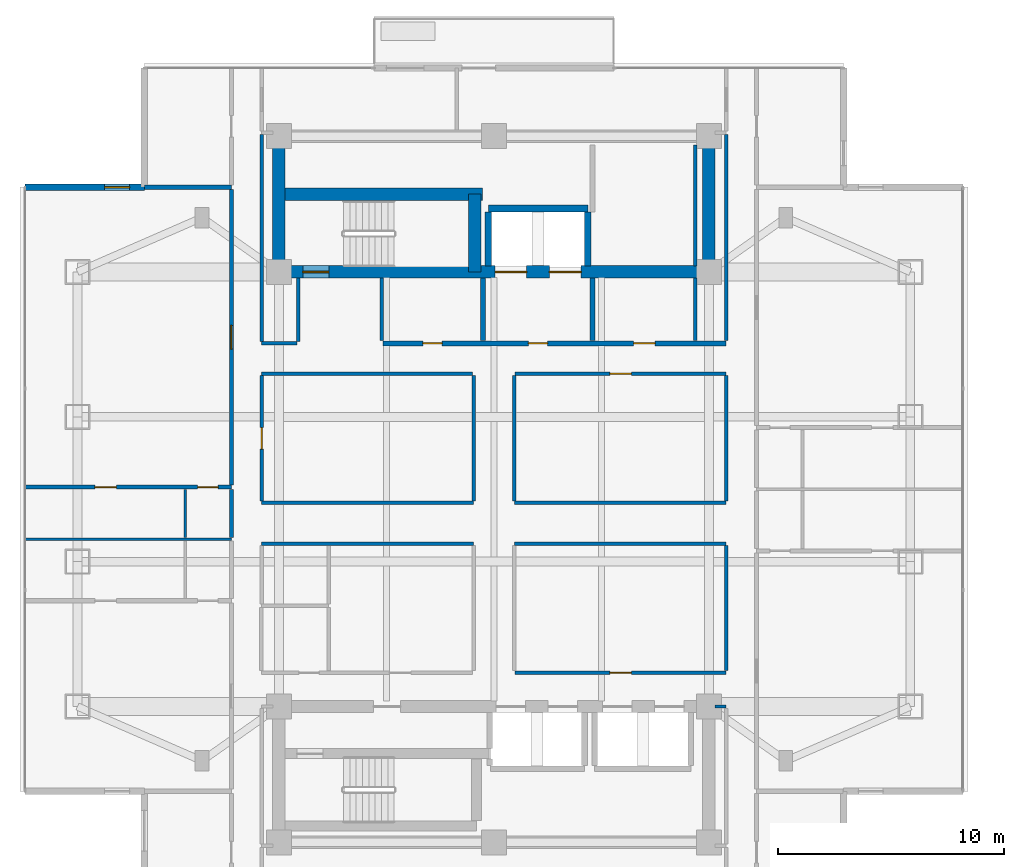
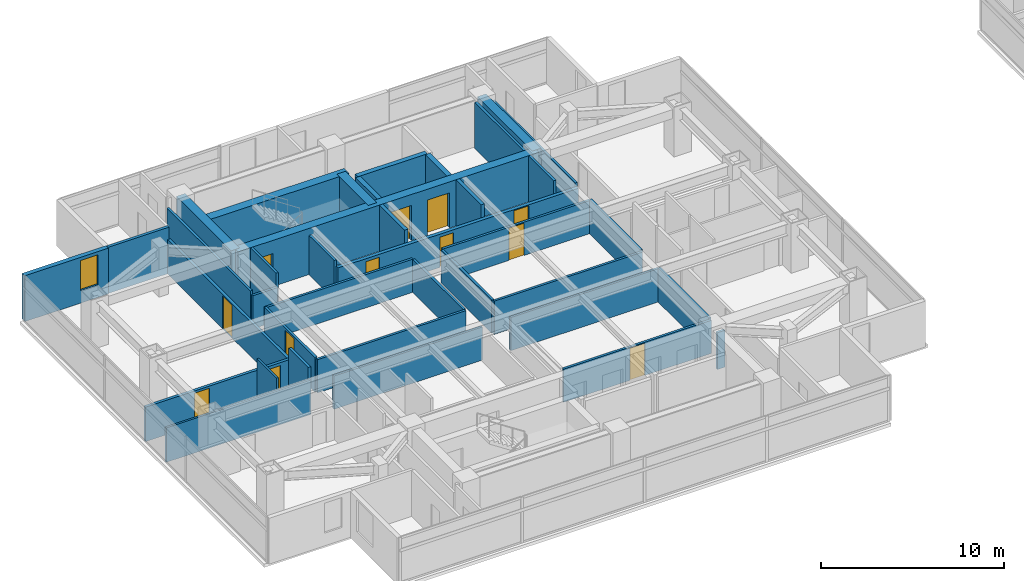
# One storey, part 15 of 26: 38 walls, 12 doors, 1 window, 13 openings.
"""IFC4 building model written with IfcOpenShell, lengths in metres."""

from ifc_helpers import new_model, si_unit, direction, frame, frame_2d, origin, place, context, subcontext, project, spatial, rectangle, extrude, material, layer, layer_set, type_object, element, fill, save


model = new_model("IFC4")

# Units and contexts
model_context = context("Model", 3, precision=1e-05, world=origin(), true_north=direction((0.0, 1.0)))
body_context = subcontext(model_context, "Body", "Model", "MODEL_VIEW")
ifc_project = project(units=[si_unit("LENGTHUNIT", "METRE"), si_unit("AREAUNIT", "SQUARE_METRE"), si_unit("VOLUMEUNIT", "CUBIC_METRE"), si_unit("PLANEANGLEUNIT", "RADIAN"), si_unit("MASSUNIT", "GRAM", prefix="KILO")], contexts=[model_context])

# Site, building, storey
site_placement = place(None, origin())
site = spatial("IfcSite", under=ifc_project, at=site_placement, CompositionType="ELEMENT")
building_placement = place(site_placement, origin())
building = spatial("IfcBuilding", under=site, at=building_placement, Name="Mirazonda Arch Towers", CompositionType="ELEMENT")
storey_placement = place(building_placement, frame((0.0, 0.0, 128.0)))
storey = spatial("IfcBuildingStorey", under=building, at=storey_placement, Name="L36", CompositionType="ELEMENT", Elevation=128.0)

# Walls
ifc_material_1 = material(Name="Concrete C50/60", Category="concrete")
ifc_layer_1 = layer(ifc_material_1, 0.550048828125, Name="WALL-CORE-550")
ifc_layer_set_1 = layer_set([ifc_layer_1], Name="Concrete C50/60")
wall_type_1 = type_object("IfcWallType", Name="WALL-CORE-550", PredefinedType="SHEAR", material=ifc_layer_set_1)
for number, where, z_axis, x_axis, name in (
    (1, (11.0, 37.60009765625, 0.0), (0.0, 0.0, 1.0), (0.0, 1.0, 0.0), "L36 T1N-W Core Shear Wall"),
    (2, (30.0, 37.60009765625, 0.0), (0.0, 0.0, 1.0), (0.0, 1.0, 0.0), "L36 T1N-E Core Shear Wall"),
):
    element("IfcWall", number, at=place(storey_placement, frame(where, z_axis=z_axis, x_axis=x_axis)), inside=storey, type_object=wall_type_1, Name=name, PredefinedType="SHEAR", context=body_context, shape_type="SweptSolid", body=[
        extrude(rectangle(XDim=6.0, YDim=0.550048828125, at=frame_2d((3.0, 0.0))), origin(), (0.0, 0.0, 1.0), 3.080078125),
    ])

# Wall, openings, doors
wall_1_placement = place(storey_placement, frame((11.0, 37.60009765625, 0.0), z_axis=(0.0, 0.0, 1.0), x_axis=(1.0, 0.0, 0.0)))
wall_1 = element("IfcWall", 3, at=wall_1_placement, inside=storey, type_object=wall_type_1, Name="L36 T1N-S Core Shear Wall", PredefinedType="SHEAR", context=body_context, shape_type="SweptSolid", body=[
    extrude(rectangle(XDim=19.0, YDim=0.550048828125, at=frame_2d((9.5, 0.0))), origin(), (0.0, 0.0, 1.0), 3.080078125),
])
opening_1_placement = place(wall_1_placement, frame((1.06005859375, 0.0, 0.0)))
opening_1 = element("IfcOpeningElement", 4, at=opening_1_placement, cuts=wall_1, Name="Opening DR-135", PredefinedType="OPENING", context=body_context, shape_type="SweptSolid", body=[
    extrude(rectangle(XDim=1.14990234375, YDim=2.199951171875, at=frame_2d((0.574951171875, 1.10009765625))), frame((0.0, 0.284912109375, 0.0), z_axis=(0.0, -1.0, 0.0), x_axis=(1.0, 0.0, 0.0)), (0.0, 0.0, 1.0), 0.570068359375),
])
opening_2_placement = place(wall_1_placement, frame((9.550048828125, 0.0, 0.0)))
opening_2 = element("IfcOpeningElement", 5, at=opening_2_placement, cuts=wall_1, Name="Opening LD-112", PredefinedType="OPENING", context=body_context, shape_type="SweptSolid", body=[
    extrude(rectangle(XDim=1.39990234375, YDim=2.35009765625, at=frame_2d((0.699951171875, 1.175048828125))), frame((0.0, 0.284912109375, 0.0), z_axis=(0.0, -1.0, 0.0), x_axis=(1.0, 0.0, 0.0)), (0.0, 0.0, 1.0), 0.570068359375),
])
opening_3_placement = place(wall_1_placement, frame((11.949951171875, 0.0, 0.0)))
opening_3 = element("IfcOpeningElement", 6, at=opening_3_placement, cuts=wall_1, Name="Opening LD-112", PredefinedType="OPENING", context=body_context, shape_type="SweptSolid", body=[
    extrude(rectangle(XDim=1.39990234375, YDim=2.35009765625, at=frame_2d((0.699951171875, 1.175048828125))), frame((0.0, 0.284912109375, 0.0), z_axis=(0.0, -1.0, 0.0), x_axis=(1.0, 0.0, 0.0)), (0.0, 0.0, 1.0), 0.570068359375),
])
ifc_material_2 = material(Name="Architectural Brushed Steel S355", Category="steel")
door_type_1 = type_object("IfcDoorType", Name="DOOR-LIFT-FFL-1400", OperationType="NOTDEFINED", PredefinedType="DOOR", material=ifc_material_2)
door_1_placement = place(opening_2_placement, origin())
door_1 = element("IfcDoor", 7, at=door_1_placement, inside=storey, type_object=door_type_1, Name="L36 Lift Landing Sliding Door FFL-T1", OperationType="DOUBLE_DOOR_SLIDING", OverallHeight=2.35009765625, OverallWidth=1.39990234375, PredefinedType="DOOR", context=body_context, shape_type="SweptSolid", body=[
    extrude(rectangle(XDim=1.39990234375, YDim=2.35009765625, at=frame_2d((0.699951171875, 1.175048828125))), frame((0.0, 0.02490234375, 0.0), z_axis=(0.0, -1.0, 0.0), x_axis=(1.0, 0.0, 0.0)), (0.0, 0.0, 1.0), 0.050048828125),
])
fill(opening_2, door_1)
door_2_placement = place(opening_3_placement, origin())
door_2 = element("IfcDoor", 8, at=door_2_placement, inside=storey, type_object=door_type_1, Name="L36 Lift Landing Sliding Door SVL-T1", OperationType="DOUBLE_DOOR_SLIDING", OverallHeight=2.35009765625, OverallWidth=1.39990234375, PredefinedType="DOOR", context=body_context, shape_type="SweptSolid", body=[
    extrude(rectangle(XDim=1.39990234375, YDim=2.35009765625, at=frame_2d((0.699951171875, 1.175048828125))), frame((0.0, 0.02490234375, 0.0), z_axis=(0.0, -1.0, 0.0), x_axis=(1.0, 0.0, 0.0)), (0.0, 0.0, 1.0), 0.050048828125),
])
fill(opening_3, door_2)
door_type_2 = type_object("IfcDoorType", Name="DOOR-STAIR-FD90-1150", OperationType="NOTDEFINED", PredefinedType="DOOR", material=ifc_material_2)
door_3_placement = place(opening_1_placement, origin())
door_3 = element("IfcDoor", 9, at=door_3_placement, inside=storey, type_object=door_type_2, Name="L36 Protected Exit Stair North Door", OperationType="SINGLE_SWING_LEFT", OverallHeight=2.199951171875, OverallWidth=1.14990234375, PredefinedType="DOOR", context=body_context, shape_type="SweptSolid", body=[
    extrude(rectangle(XDim=1.14990234375, YDim=2.199951171875, at=frame_2d((0.574951171875, 1.10009765625))), frame((0.0, 0.02490234375, 0.0), z_axis=(0.0, -1.0, 0.0), x_axis=(1.0, 0.0, 0.0)), (0.0, 0.0, 1.0), 0.050048828125),
])
fill(opening_1, door_3)

# Walls
wall_2_placement = place(storey_placement, frame((11.0, 41.04296875, 0.0), z_axis=(0.0, 0.0, 1.0), x_axis=(1.0, 0.0, 0.0)))
element("IfcWall", 10, at=wall_2_placement, inside=storey, type_object=wall_type_1, Name="L36 T1N-STN Core Shear Wall", PredefinedType="SHEAR", context=body_context, shape_type="SweptSolid", body=[
    extrude(rectangle(XDim=9.0, YDim=0.550048828125, at=frame_2d((4.5, 0.0))), origin(), (0.0, 0.0, 1.0), 3.080078125),
])
wall_3_placement = place(storey_placement, frame((19.64990234375, 37.60009765625, 0.0), z_axis=(0.0, 0.0, 1.0), x_axis=(0.0, 1.0, 0.0)))
element("IfcWall", 11, at=wall_3_placement, inside=storey, type_object=wall_type_1, Name="L36 T1N-STE Core Shear Wall", PredefinedType="SHEAR", context=body_context, shape_type="SweptSolid", body=[
    extrude(rectangle(XDim=3.44287109375, YDim=0.550048828125, at=frame_2d((1.721435546875, 0.0))), origin(), (0.0, 0.0, 1.0), 3.080078125),
])

# Wall, opening, window
ifc_material_3 = material(Name="Precast Concrete C40/50", Category="concrete")
ifc_layer_2 = layer(ifc_material_3, 0.280029296875, Name="WALL-EXT-WALL-280")
ifc_layer_set_2 = layer_set([ifc_layer_2], Name="Precast Concrete C40/50")
wall_type_2 = type_object("IfcWallType", Name="WALL-EXT-WALL-280", PredefinedType="SOLIDWALL", material=ifc_layer_set_2)
wall_4_placement = place(storey_placement, frame((5.050048828125, 41.343994140625, 0.0), z_axis=(0.0, 0.0, 1.0), x_axis=(-1.0, 0.0, 0.0)))
wall_4 = element("IfcWall", 12, at=wall_4_placement, inside=storey, type_object=wall_type_2, Name="L36 T1 Corner Notch Return Wall WL-L36-T1-CNW1", PredefinedType="SOLIDWALL", context=body_context, shape_type="SweptSolid", body=[
    extrude(rectangle(XDim=5.27001953125, YDim=0.280029296875, at=frame_2d((2.635009765625, 0.0))), origin(), (0.0, 0.0, 1.0), 3.06005859375),
])
opening_4_placement = place(wall_4_placement, frame((0.64990234375, 0.0, 0.85009765625)))
opening_4 = element("IfcOpeningElement", 13, at=opening_4_placement, cuts=wall_4, Name="Opening WN-108", PredefinedType="OPENING", context=body_context, shape_type="SweptSolid", body=[
    extrude(rectangle(XDim=1.10009765625, YDim=2.0, at=frame_2d((0.550048828125, 1.0))), frame((0.0, 0.14990234375, 0.0), z_axis=(0.0, -1.0, 0.0), x_axis=(1.0, 0.0, 0.0)), (0.0, 0.0, 1.0), 0.300048828125),
])
ifc_material_4 = material(Name="Insulated Low-E Solar Glass", Category="glass")
window_type = type_object("IfcWindowType", Name="WIN-NOTCH-1100x2000", PartitioningType="SINGLE_PANEL", PredefinedType="WINDOW", material=ifc_material_4)
window_placement = place(opening_4_placement, origin())
window = element("IfcWindow", 14, at=window_placement, inside=storey, type_object=window_type, Name="L36 Punched Facade Window WN-L36-T1-CNW1", OverallHeight=2.0, OverallWidth=1.10009765625, PartitioningType="SINGLE_PANEL", PredefinedType="WINDOW", context=body_context, shape_type="SweptSolid", body=[
    extrude(rectangle(XDim=1.10009765625, YDim=2.0, at=frame_2d((0.550048828125, 1.0))), frame((0.0, 0.030029296875, 0.0), z_axis=(0.0, -1.0, 0.0), x_axis=(1.0, 0.0, 0.0)), (0.0, 0.0, 1.0), 0.06005859375),
])
fill(opening_4, window)

# Wall, openings, doors
ifc_material_5 = material(Name="Concrete C40/50", Category="concrete")
ifc_layer_3 = layer(ifc_material_5, 0.219970703125, Name="WALL-FFL-220")
ifc_layer_set_3 = layer_set([ifc_layer_3], Name="Concrete C40/50")
wall_type_3 = type_object("IfcWallType", Name="WALL-FFL-220", PredefinedType="SOLIDWALL", material=ifc_layer_set_3)
wall_5_placement = place(storey_placement, frame((15.590087890625, 34.449951171875, 0.0), z_axis=(0.0, 0.0, 1.0), x_axis=(1.0, 0.0, 0.0)))
wall_5 = element("IfcWall", 15, at=wall_5_placement, inside=storey, type_object=wall_type_3, Name="L36 Interior Partition 046", PredefinedType="SOLIDWALL", context=body_context, shape_type="SweptSolid", body=[
    extrude(rectangle(XDim=15.169921875, YDim=0.219970703125, at=frame_2d((7.5849609375, 0.0))), origin(), (0.0, 0.0, 1.0), 2.216064453125),
])
opening_5_placement = place(wall_5_placement, frame((6.43505859375, 0.0, 0.0)))
opening_5 = element("IfcOpeningElement", 16, at=opening_5_placement, cuts=wall_5, Name="Opening DR-128", PredefinedType="OPENING", context=body_context, shape_type="SweptSolid", body=[
    extrude(rectangle(XDim=0.85009765625, YDim=2.010009765625, at=frame_2d((0.425048828125, 1.0048828125))), frame((0.0, 0.119873046875, 0.0), z_axis=(0.0, -1.0, 0.0), x_axis=(1.0, 0.0, 0.0)), (0.0, 0.0, 1.0), 0.239990234375),
])
opening_6_placement = place(wall_5_placement, frame((11.0849609375, 0.0, 0.0)))
opening_6 = element("IfcOpeningElement", 17, at=opening_6_placement, cuts=wall_5, Name="Opening DR-104", PredefinedType="OPENING", context=body_context, shape_type="SweptSolid", body=[
    extrude(rectangle(XDim=0.949951171875, YDim=2.14990234375, at=frame_2d((0.47509765625, 1.074951171875))), frame((0.0, 0.119873046875, 0.0), z_axis=(0.0, -1.0, 0.0), x_axis=(1.0, 0.0, 0.0)), (0.0, 0.0, 1.0), 0.239990234375),
])
opening_7_placement = place(wall_5_placement, frame((1.77490234375, 0.0, 0.0)))
opening_7 = element("IfcOpeningElement", 18, at=opening_7_placement, cuts=wall_5, Name="Opening DR-128", PredefinedType="OPENING", context=body_context, shape_type="SweptSolid", body=[
    extrude(rectangle(XDim=0.85009765625, YDim=2.010009765625, at=frame_2d((0.425048828125, 1.0048828125))), frame((0.0, 0.119873046875, 0.0), z_axis=(0.0, -1.0, 0.0), x_axis=(1.0, 0.0, 0.0)), (0.0, 0.0, 1.0), 0.239990234375),
])
door_type_3 = type_object("IfcDoorType", Name="DOOR-RISER-FD60-850", OperationType="NOTDEFINED", PredefinedType="DOOR", material=ifc_material_2)
door_4_placement = place(opening_5_placement, origin())
door_4 = element("IfcDoor", 19, at=door_4_placement, inside=storey, type_object=door_type_3, Name="L36 Firefighting Lift Lobby Door", OperationType="SINGLE_SWING_RIGHT", OverallHeight=2.010009765625, OverallWidth=0.85009765625, PredefinedType="DOOR", context=body_context, shape_type="SweptSolid", body=[
    extrude(rectangle(XDim=0.85009765625, YDim=2.010009765625, at=frame_2d((0.425048828125, 1.0048828125))), frame((0.0, 0.02490234375, 0.0), z_axis=(0.0, -1.0, 0.0), x_axis=(1.0, 0.0, 0.0)), (0.0, 0.0, 1.0), 0.050048828125),
])
fill(opening_5, door_4)
door_5_placement = place(opening_7_placement, origin())
door_5 = element("IfcDoor", 20, at=door_5_placement, inside=storey, type_object=door_type_3, Name="L36 Housekeeping Linen Room Door", OperationType="SINGLE_SWING_RIGHT", OverallHeight=2.010009765625, OverallWidth=0.85009765625, PredefinedType="DOOR", context=body_context, shape_type="SweptSolid", body=[
    extrude(rectangle(XDim=0.85009765625, YDim=2.010009765625, at=frame_2d((0.425048828125, 1.0048828125))), frame((0.0, 0.02490234375, 0.0), z_axis=(0.0, -1.0, 0.0), x_axis=(1.0, 0.0, 0.0)), (0.0, 0.0, 1.0), 0.050048828125),
])
fill(opening_7, door_5)
door_type_4 = type_object("IfcDoorType", Name="DOOR-ROOM-950", OperationType="NOTDEFINED", PredefinedType="DOOR", material=ifc_material_2)
door_6_placement = place(opening_6_placement, origin())
door_6 = element("IfcDoor", 21, at=door_6_placement, inside=storey, type_object=door_type_4, Name="L36 Executive Reading Library Door", OperationType="SINGLE_SWING_LEFT", OverallHeight=2.14990234375, OverallWidth=0.949951171875, PredefinedType="DOOR", context=body_context, shape_type="SweptSolid", body=[
    extrude(rectangle(XDim=0.949951171875, YDim=2.14990234375, at=frame_2d((0.47509765625, 1.074951171875))), frame((0.0, 0.02490234375, 0.0), z_axis=(0.0, -1.0, 0.0), x_axis=(1.0, 0.0, 0.0)), (0.0, 0.0, 1.0), 0.050048828125),
])
fill(opening_6, door_6)

# Walls
for number, where, z_axis, x_axis, name in (
    (22, (20.02490234375, 34.570068359375, 0.0), (0.0, 0.0, 1.0), (0.0, 1.0, 0.0), "L36 Interior Partition 082"),
    (23, (24.85009765625, 34.570068359375, 0.0), (0.0, 0.0, 1.0), (0.0, 1.0, 0.0), "L36 Interior Partition 091"),
):
    element("IfcWall", number, at=place(storey_placement, frame(where, z_axis=z_axis, x_axis=x_axis)), inside=storey, type_object=wall_type_3, Name=name, PredefinedType="SOLIDWALL", context=body_context, shape_type="SweptSolid", body=[
        extrude(rectangle(XDim=2.760009765625, YDim=0.219970703125, at=frame_2d((1.3798828125, 0.0))), origin(), (0.0, 0.0, 1.0), 3.080078125),
    ])
ifc_material_6 = material(Name="Fire-Rated Gypsum Stud Partition")
ifc_layer_4 = layer(ifc_material_6, 0.14990234375, Name="WALL-PART-CORR-150")
ifc_layer_set_4 = layer_set([ifc_layer_4], Name="Fire-Rated Gypsum Stud Partition")
wall_type_4 = type_object("IfcWallType", Name="WALL-PART-CORR-150", PredefinedType="PARTITIONING", material=ifc_layer_set_4)
wall_6_placement = place(storey_placement, frame((30.27001953125, 18.39990234375, 0.0), z_axis=(0.0, 0.0, 1.0), x_axis=(1.0, 0.0, 0.0)))
element("IfcWall", 24, at=wall_6_placement, inside=storey, type_object=wall_type_4, Name="L36 Interior Partition 013", PredefinedType="PARTITIONING", context=body_context, shape_type="SweptSolid", body=[
    extrude(rectangle(XDim=0.489990234375, YDim=0.14990234375, at=frame_2d((0.2451171875, 0.0))), origin(), (0.0, 0.0, 1.0), 2.4560546875),
])

# Wall, opening, door
wall_7_placement = place(storey_placement, frame((21.43994140625, 19.89990234375, 0.0), z_axis=(0.0, 0.0, 1.0), x_axis=(1.0, 0.0, 0.0)))
wall_7 = element("IfcWall", 25, at=wall_7_placement, inside=storey, type_object=wall_type_4, Name="L36 Interior Partition 016", PredefinedType="PARTITIONING", context=body_context, shape_type="SweptSolid", body=[
    extrude(rectangle(XDim=9.320068359375, YDim=0.14990234375, at=frame_2d((4.66015625, 0.0))), origin(), (0.0, 0.0, 1.0), 2.216064453125),
])
opening_8_placement = place(wall_7_placement, frame((4.18505859375, 0.0, 0.0)))
opening_8 = element("IfcOpeningElement", 26, at=opening_8_placement, cuts=wall_7, Name="Opening DR-104", PredefinedType="OPENING", context=body_context, shape_type="SweptSolid", body=[
    extrude(rectangle(XDim=0.949951171875, YDim=2.14990234375, at=frame_2d((0.47509765625, 1.074951171875))), frame((0.0, 0.0849609375, 0.0), z_axis=(0.0, -1.0, 0.0), x_axis=(1.0, 0.0, 0.0)), (0.0, 0.0, 1.0), 0.169921875),
])
door_7_placement = place(opening_8_placement, origin())
door_7 = element("IfcDoor", 27, at=door_7_placement, inside=storey, type_object=door_type_4, Name="L36 L36 South-East Cruciform Lounge Door", OperationType="SINGLE_SWING_RIGHT", OverallHeight=2.14990234375, OverallWidth=0.949951171875, PredefinedType="DOOR", context=body_context, shape_type="SweptSolid", body=[
    extrude(rectangle(XDim=0.949951171875, YDim=2.14990234375, at=frame_2d((0.47509765625, 1.074951171875))), frame((0.0, 0.02490234375, 0.0), z_axis=(0.0, -1.0, 0.0), x_axis=(1.0, 0.0, 0.0)), (0.0, 0.0, 1.0), 0.050048828125),
])
fill(opening_8, door_7)

# Walls
for number, where, z_axis, x_axis, name in (
    (28, (10.239990234375, 25.60009765625, 0.0), (0.0, 0.0, 1.0), (1.0, 0.0, 0.0), "L36 Interior Partition 027"),
    (29, (21.39990234375, 25.60009765625, 0.0), (0.0, 0.0, 1.0), (1.0, 0.0, 0.0), "L36 Interior Partition 028"),
    (30, (10.239990234375, 27.39990234375, 0.0), (0.0, 0.0, 1.0), (1.0, 0.0, 0.0), "L36 Interior Partition 032"),
    (31, (21.39990234375, 27.39990234375, 0.0), (0.0, 0.0, 1.0), (1.0, 0.0, 0.0), "L36 Interior Partition 033"),
):
    element("IfcWall", number, at=place(storey_placement, frame(where, z_axis=z_axis, x_axis=x_axis)), inside=storey, type_object=wall_type_4, Name=name, PredefinedType="PARTITIONING", context=body_context, shape_type="SweptSolid", body=[
        extrude(rectangle(XDim=9.360107421875, YDim=0.14990234375, at=frame_2d((4.68017578125, 0.0))), origin(), (0.0, 0.0, 1.0), 2.216064453125),
    ])
wall_8_placement = place(storey_placement, frame((10.239990234375, 33.10009765625, 0.0), z_axis=(0.0, 0.0, 1.0), x_axis=(1.0, 0.0, 0.0)))
element("IfcWall", 32, at=wall_8_placement, inside=storey, type_object=wall_type_4, Name="L36 Interior Partition 043", PredefinedType="PARTITIONING", context=body_context, shape_type="SweptSolid", body=[
    extrude(rectangle(XDim=9.320068359375, YDim=0.14990234375, at=frame_2d((4.66015625, 0.0))), origin(), (0.0, 0.0, 1.0), 2.216064453125),
])

# Wall, opening, door
wall_9_placement = place(storey_placement, frame((21.43994140625, 33.10009765625, 0.0), z_axis=(0.0, 0.0, 1.0), x_axis=(1.0, 0.0, 0.0)))
wall_9 = element("IfcWall", 33, at=wall_9_placement, inside=storey, type_object=wall_type_4, Name="L36 Interior Partition 044", PredefinedType="PARTITIONING", context=body_context, shape_type="SweptSolid", body=[
    extrude(rectangle(XDim=9.320068359375, YDim=0.14990234375, at=frame_2d((4.66015625, 0.0))), origin(), (0.0, 0.0, 1.0), 2.216064453125),
])
opening_9_placement = place(wall_9_placement, frame((4.18505859375, 0.0, 0.0)))
opening_9 = element("IfcOpeningElement", 34, at=opening_9_placement, cuts=wall_9, Name="Opening DR-104", PredefinedType="OPENING", context=body_context, shape_type="SweptSolid", body=[
    extrude(rectangle(XDim=0.949951171875, YDim=2.14990234375, at=frame_2d((0.47509765625, 1.074951171875))), frame((0.0, 0.0849609375, 0.0), z_axis=(0.0, -1.0, 0.0), x_axis=(1.0, 0.0, 0.0)), (0.0, 0.0, 1.0), 0.169921875),
])
door_8_placement = place(opening_9_placement, origin())
door_8 = element("IfcDoor", 35, at=door_8_placement, inside=storey, type_object=door_type_4, Name="L36 L36 North-East Cruciform Study Door", OperationType="SINGLE_SWING_LEFT", OverallHeight=2.14990234375, OverallWidth=0.949951171875, PredefinedType="DOOR", context=body_context, shape_type="SweptSolid", body=[
    extrude(rectangle(XDim=0.949951171875, YDim=2.14990234375, at=frame_2d((0.47509765625, 1.074951171875))), frame((0.0, 0.02490234375, 0.0), z_axis=(0.0, -1.0, 0.0), x_axis=(1.0, 0.0, 0.0)), (0.0, 0.0, 1.0), 0.050048828125),
])
fill(opening_9, door_8)

# Wall
wall_10_placement = place(storey_placement, frame((10.239990234375, 34.449951171875, 0.0), z_axis=(0.0, 0.0, 1.0), x_axis=(1.0, 0.0, 0.0)))
element("IfcWall", 36, at=wall_10_placement, inside=storey, type_object=wall_type_4, Name="L36 Interior Partition 045", PredefinedType="PARTITIONING", context=body_context, shape_type="SweptSolid", body=[
    extrude(rectangle(XDim=1.56005859375, YDim=0.14990234375, at=frame_2d((0.780029296875, 0.0))), origin(), (0.0, 0.0, 1.0), 2.216064453125),
])

# Wall, opening, door
wall_11_placement = place(storey_placement, frame((10.239990234375, 27.485107421875, 0.0), z_axis=(0.0, 0.0, 1.0), x_axis=(0.0, 1.0, 0.0)))
wall_11 = element("IfcWall", 37, at=wall_11_placement, inside=storey, type_object=wall_type_4, Name="L36 Interior Partition 071", PredefinedType="PARTITIONING", context=body_context, shape_type="SweptSolid", body=[
    extrude(rectangle(XDim=5.52978515625, YDim=0.14990234375, at=frame_2d((2.764892578125, 0.0))), origin(), (0.0, 0.0, 1.0), 2.299072265625),
])
opening_10_placement = place(wall_11_placement, frame((2.2900390625, 0.0, 0.0)))
opening_10 = element("IfcOpeningElement", 38, at=opening_10_placement, cuts=wall_11, Name="Opening DR-104", PredefinedType="OPENING", context=body_context, shape_type="SweptSolid", body=[
    extrude(rectangle(XDim=0.949951171875, YDim=2.14990234375, at=frame_2d((0.47509765625, 1.074951171875))), frame((0.0, 0.0849609375, 0.0), z_axis=(0.0, -1.0, 0.0), x_axis=(1.0, 0.0, 0.0)), (0.0, 0.0, 1.0), 0.169921875),
])
door_9_placement = place(opening_10_placement, origin())
door_9 = element("IfcDoor", 39, at=door_9_placement, inside=storey, type_object=door_type_4, Name="L36 L36 West Courtyard Reading Salon Door", OperationType="SINGLE_SWING_LEFT", OverallHeight=2.14990234375, OverallWidth=0.949951171875, PredefinedType="DOOR", context=body_context, shape_type="SweptSolid", body=[
    extrude(rectangle(XDim=0.949951171875, YDim=2.14990234375, at=frame_2d((0.47509765625, 1.074951171875))), frame((0.0, 0.02490234375, 0.0), z_axis=(0.0, -1.0, 0.0), x_axis=(1.0, 0.0, 0.0)), (0.0, 0.0, 1.0), 0.050048828125),
])
fill(opening_10, door_9)

# Walls
wall_12_placement = place(storey_placement, frame((10.239990234375, 34.534912109375, 0.0), z_axis=(0.0, 0.0, 1.0), x_axis=(0.0, 1.0, 0.0)))
element("IfcWall", 40, at=wall_12_placement, inside=storey, type_object=wall_type_4, Name="L36 Interior Partition 072", PredefinedType="PARTITIONING", context=body_context, shape_type="SweptSolid", body=[
    extrude(rectangle(XDim=9.130126953125, YDim=0.14990234375, at=frame_2d((4.56494140625, 0.0))), origin(), (0.0, 0.0, 1.0), 2.4560546875),
])
wall_13_placement = place(storey_placement, frame((11.85009765625, 34.534912109375, 0.0), z_axis=(0.0, 0.0, 1.0), x_axis=(0.0, 1.0, 0.0)))
element("IfcWall", 41, at=wall_13_placement, inside=storey, type_object=wall_type_4, Name="L36 Interior Partition 074", PredefinedType="PARTITIONING", context=body_context, shape_type="SweptSolid", body=[
    extrude(rectangle(XDim=2.795166015625, YDim=0.14990234375, at=frame_2d((1.3974609375, 0.0))), origin(), (0.0, 0.0, 1.0), 3.080078125),
])
wall_14_placement = place(storey_placement, frame((15.550048828125, 34.570068359375, 0.0), z_axis=(0.0, 0.0, 1.0), x_axis=(0.0, 1.0, 0.0)))
element("IfcWall", 42, at=wall_14_placement, inside=storey, type_object=wall_type_4, Name="L36 Interior Partition 077", PredefinedType="PARTITIONING", context=body_context, shape_type="SweptSolid", body=[
    extrude(rectangle(XDim=2.760009765625, YDim=0.14990234375, at=frame_2d((1.3798828125, 0.0))), origin(), (0.0, 0.0, 1.0), 2.60888671875),
])
for number, where, z_axis, x_axis, name in (
    (43, (19.60009765625, 27.485107421875, 0.0), (0.0, 0.0, 1.0), (0.0, 1.0, 0.0), "L36 Interior Partition 080"),
    (44, (21.39990234375, 27.485107421875, 0.0), (0.0, 0.0, 1.0), (0.0, 1.0, 0.0), "L36 Interior Partition 087"),
):
    element("IfcWall", number, at=place(storey_placement, frame(where, z_axis=z_axis, x_axis=x_axis)), inside=storey, type_object=wall_type_4, Name=name, PredefinedType="PARTITIONING", context=body_context, shape_type="SweptSolid", body=[
        extrude(rectangle(XDim=5.52978515625, YDim=0.14990234375, at=frame_2d((2.764892578125, 0.0))), origin(), (0.0, 0.0, 1.0), 2.216064453125),
    ])
wall_15_placement = place(storey_placement, frame((29.39990234375, 34.570068359375, 0.0), z_axis=(0.0, 0.0, 1.0), x_axis=(0.0, 1.0, 0.0)))
element("IfcWall", 45, at=wall_15_placement, inside=storey, type_object=wall_type_4, Name="L36 Interior Partition 094", PredefinedType="PARTITIONING", context=body_context, shape_type="SweptSolid", body=[
    extrude(rectangle(XDim=2.760009765625, YDim=0.14990234375, at=frame_2d((1.3798828125, 0.0))), origin(), (0.0, 0.0, 1.0), 3.080078125),
])
wall_16_placement = place(storey_placement, frame((29.39990234375, 37.8701171875, 0.0), z_axis=(0.0, 0.0, 1.0), x_axis=(0.0, 1.0, 0.0)))
element("IfcWall", 46, at=wall_16_placement, inside=storey, type_object=wall_type_4, Name="L36 Interior Partition 095", PredefinedType="PARTITIONING", context=body_context, shape_type="SweptSolid", body=[
    extrude(rectangle(XDim=5.329833984375, YDim=0.14990234375, at=frame_2d((2.6650390625, 0.0))), origin(), (0.0, 0.0, 1.0), 3.080078125),
])
for number, where, z_axis, x_axis, name in (
    (47, (30.760009765625, 19.985107421875, 0.0), (0.0, 0.0, 1.0), (0.0, 1.0, 0.0), "L36 Interior Partition 098"),
    (48, (30.760009765625, 27.485107421875, 0.0), (0.0, 0.0, 1.0), (0.0, 1.0, 0.0), "L36 Interior Partition 099"),
):
    element("IfcWall", number, at=place(storey_placement, frame(where, z_axis=z_axis, x_axis=x_axis)), inside=storey, type_object=wall_type_4, Name=name, PredefinedType="PARTITIONING", context=body_context, shape_type="SweptSolid", body=[
        extrude(rectangle(XDim=5.52978515625, YDim=0.14990234375, at=frame_2d((2.764892578125, 0.0))), origin(), (0.0, 0.0, 1.0), 2.299072265625),
    ])
wall_17_placement = place(storey_placement, frame((30.760009765625, 34.570068359375, 0.0), z_axis=(0.0, 0.0, 1.0), x_axis=(0.0, 1.0, 0.0)))
element("IfcWall", 49, at=wall_17_placement, inside=storey, type_object=wall_type_4, Name="L36 Interior Partition 100", PredefinedType="PARTITIONING", context=body_context, shape_type="SweptSolid", body=[
    extrude(rectangle(XDim=9.094970703125, YDim=0.14990234375, at=frame_2d((4.54736328125, 0.0))), origin(), (0.0, 0.0, 1.0), 2.4560546875),
])

# Wall, openings, doors
ifc_material_7 = material(Name="Fire-Rated Gypsum Twin-Stud Assembly")
ifc_layer_5 = layer(ifc_material_7, 0.179931640625, Name="WALL-PART-DEMISE-180")
ifc_layer_set_5 = layer_set([ifc_layer_5], Name="Fire-Rated Gypsum Twin-Stud Assembly")
wall_type_5 = type_object("IfcWallType", Name="WALL-PART-DEMISE-180", PredefinedType="PARTITIONING", material=ifc_layer_set_5)
wall_18_placement = place(storey_placement, frame((-0.219970703125, 28.093017578125, 0.0), z_axis=(0.0, 0.0, 1.0), x_axis=(1.0, 0.0, 0.0)))
wall_18 = element("IfcWall", 50, at=wall_18_placement, inside=storey, type_object=wall_type_5, Name="L36 Interior Partition 036", PredefinedType="PARTITIONING", context=body_context, shape_type="SweptSolid", body=[
    extrude(rectangle(XDim=9.119873046875, YDim=0.179931640625, at=frame_2d((4.56005859375, 0.0))), origin(), (0.0, 0.0, 1.0), 2.299072265625),
])
opening_11_placement = place(wall_18_placement, frame((3.0849609375, 0.0, 0.0)))
opening_11 = element("IfcOpeningElement", 51, at=opening_11_placement, cuts=wall_18, Name="Opening DR-104", PredefinedType="OPENING", context=body_context, shape_type="SweptSolid", body=[
    extrude(rectangle(XDim=0.949951171875, YDim=2.14990234375, at=frame_2d((0.47509765625, 1.074951171875))), frame((0.0, 0.099853515625, 0.0), z_axis=(0.0, -1.0, 0.0), x_axis=(1.0, 0.0, 0.0)), (0.0, 0.0, 1.0), 0.199951171875),
])
opening_12_placement = place(wall_18_placement, frame((7.6298828125, 0.0, 0.0)))
opening_12 = element("IfcOpeningElement", 52, at=opening_12_placement, cuts=wall_18, Name="Opening DR-120", PredefinedType="OPENING", context=body_context, shape_type="SweptSolid", body=[
    extrude(rectangle(XDim=0.89990234375, YDim=2.10009765625, at=frame_2d((0.449951171875, 1.050048828125))), frame((0.0, 0.099853515625, 0.0), z_axis=(0.0, -1.0, 0.0), x_axis=(1.0, 0.0, 0.0)), (0.0, 0.0, 1.0), 0.199951171875),
])
door_10_placement = place(opening_11_placement, origin())
door_10 = element("IfcDoor", 53, at=door_10_placement, inside=storey, type_object=door_type_4, Name="L36 Suite Bedroom 2 Door", OperationType="SINGLE_SWING_RIGHT", OverallHeight=2.14990234375, OverallWidth=0.949951171875, PredefinedType="DOOR", context=body_context, shape_type="SweptSolid", body=[
    extrude(rectangle(XDim=0.949951171875, YDim=2.14990234375, at=frame_2d((0.47509765625, 1.074951171875))), frame((0.0, 0.02490234375, 0.0), z_axis=(0.0, -1.0, 0.0), x_axis=(1.0, 0.0, 0.0)), (0.0, 0.0, 1.0), 0.050048828125),
])
fill(opening_11, door_10)
door_type_5 = type_object("IfcDoorType", Name="DOOR-WC-900", OperationType="NOTDEFINED", PredefinedType="DOOR", material=ifc_material_2)
door_11_placement = place(opening_12_placement, origin())
door_11 = element("IfcDoor", 54, at=door_11_placement, inside=storey, type_object=door_type_5, Name="L36 Suite En-Suite Bathroom 2 Door", OperationType="SINGLE_SWING_LEFT", OverallHeight=2.10009765625, OverallWidth=0.89990234375, PredefinedType="DOOR", context=body_context, shape_type="SweptSolid", body=[
    extrude(rectangle(XDim=0.89990234375, YDim=2.10009765625, at=frame_2d((0.449951171875, 1.050048828125))), frame((0.0, 0.02490234375, 0.0), z_axis=(0.0, -1.0, 0.0), x_axis=(1.0, 0.0, 0.0)), (0.0, 0.0, 1.0), 0.050048828125),
])
fill(opening_12, door_11)

# Walls
wall_19_placement = place(storey_placement, frame((5.070068359375, 41.343994140625, 0.0), z_axis=(0.0, 0.0, 1.0), x_axis=(1.0, 0.0, 0.0)))
element("IfcWall", 55, at=wall_19_placement, inside=storey, type_object=wall_type_5, Name="L36 Interior Partition 055", PredefinedType="PARTITIONING", context=body_context, shape_type="SweptSolid", body=[
    extrude(rectangle(XDim=3.829833984375, YDim=0.179931640625, at=frame_2d((1.9150390625, 0.0))), origin(), (0.0, 0.0, 1.0), 3.080078125),
])
wall_20_placement = place(storey_placement, frame((8.89990234375, 25.865478515625, 0.0), z_axis=(0.0, 0.0, 1.0), x_axis=(0.0, 1.0, 0.0)))
element("IfcWall", 56, at=wall_20_placement, inside=storey, type_object=wall_type_5, Name="L36 Interior Partition 064", PredefinedType="PARTITIONING", context=body_context, shape_type="SweptSolid", body=[
    extrude(rectangle(XDim=2.12744140625, YDim=0.179931640625, at=frame_2d((1.063720703125, 0.0))), origin(), (0.0, 0.0, 1.0), 3.080078125),
])

# Wall, opening, door
wall_21_placement = place(storey_placement, frame((8.89990234375, 28.193115234375, 0.0), z_axis=(0.0, 0.0, 1.0), x_axis=(0.0, 1.0, 0.0)))
wall_21 = element("IfcWall", 57, at=wall_21_placement, inside=storey, type_object=wall_type_5, Name="L36 Interior Partition 065", PredefinedType="PARTITIONING", context=body_context, shape_type="SweptSolid", body=[
    extrude(rectangle(XDim=13.05078125, YDim=0.179931640625, at=frame_2d((6.525390625, 0.0))), origin(), (0.0, 0.0, 1.0), 2.299072265625),
])
opening_13_placement = place(wall_21_placement, frame((6.00048828125, 0.0, 0.0)))
opening_13 = element("IfcOpeningElement", 58, at=opening_13_placement, cuts=wall_21, Name="Opening DR-121", PredefinedType="OPENING", context=body_context, shape_type="SweptSolid", body=[
    extrude(rectangle(XDim=1.050048828125, YDim=2.199951171875, at=frame_2d((0.52490234375, 1.10009765625))), frame((0.0, 0.099853515625, 0.0), z_axis=(0.0, -1.0, 0.0), x_axis=(1.0, 0.0, 0.0)), (0.0, 0.0, 1.0), 0.199951171875),
])
door_type_6 = type_object("IfcDoorType", Name="DOOR-SUITE-FD60-1050", OperationType="NOTDEFINED", PredefinedType="DOOR", material=ifc_material_2)
door_12_placement = place(opening_13_placement, origin())
door_12 = element("IfcDoor", 59, at=door_12_placement, inside=storey, type_object=door_type_6, Name="L36 Presidential Hotel Suite 2 Door", OperationType="SINGLE_SWING_LEFT", OverallHeight=2.199951171875, OverallWidth=1.050048828125, PredefinedType="DOOR", context=body_context, shape_type="SweptSolid", body=[
    extrude(rectangle(XDim=1.050048828125, YDim=2.199951171875, at=frame_2d((0.52490234375, 1.10009765625))), frame((0.0, 0.02490234375, 0.0), z_axis=(0.0, -1.0, 0.0), x_axis=(1.0, 0.0, 0.0)), (0.0, 0.0, 1.0), 0.050048828125),
])
fill(opening_13, door_12)

# Walls
ifc_material_8 = material(Name="Acoustic Fire-Rated Gypsum Partition")
ifc_layer_6 = layer(ifc_material_8, 0.125, Name="WALL-PART-UNIT-125")
ifc_layer_set_6 = layer_set([ifc_layer_6], Name="Acoustic Fire-Rated Gypsum Partition")
wall_type_6 = type_object("IfcWallType", Name="WALL-PART-UNIT-125", PredefinedType="PARTITIONING", material=ifc_layer_set_6)
wall_22_placement = place(storey_placement, frame((-0.219970703125, 25.79296875, 0.0), z_axis=(0.0, 0.0, 1.0), x_axis=(1.0, 0.0, 0.0)))
element("IfcWall", 60, at=wall_22_placement, inside=storey, type_object=wall_type_6, Name="L36 Interior Partition 030", PredefinedType="PARTITIONING", context=body_context, shape_type="SweptSolid", body=[
    extrude(rectangle(XDim=9.119873046875, YDim=0.125, at=frame_2d((4.56005859375, 0.0))), origin(), (0.0, 0.0, 1.0), 2.299072265625),
])
wall_23_placement = place(storey_placement, frame((6.860107421875, 25.865478515625, 0.0), z_axis=(0.0, 0.0, 1.0), x_axis=(0.0, 1.0, 0.0)))
element("IfcWall", 61, at=wall_23_placement, inside=storey, type_object=wall_type_6, Name="L36 Interior Partition 060", PredefinedType="PARTITIONING", context=body_context, shape_type="SweptSolid", body=[
    extrude(rectangle(XDim=2.12744140625, YDim=0.125, at=frame_2d((1.063720703125, 0.0))), origin(), (0.0, 0.0, 1.0), 3.080078125),
])
ifc_layer_7 = layer(ifc_material_1, 0.300048828125, Name="WALL-SHAFT-300")
ifc_layer_set_7 = layer_set([ifc_layer_7], Name="Concrete C50/60")
wall_type_7 = type_object("IfcWallType", Name="WALL-SHAFT-300", PredefinedType="SOLIDWALL", material=ifc_layer_set_7)
wall_24_placement = place(storey_placement, frame((20.25, 40.39990234375, 0.0), z_axis=(0.0, 0.0, 1.0), x_axis=(1.0, 0.0, 0.0)))
element("IfcWall", 62, at=wall_24_placement, inside=storey, type_object=wall_type_7, Name="L36 Interior Partition 054", PredefinedType="SOLIDWALL", context=body_context, shape_type="SweptSolid", body=[
    extrude(rectangle(XDim=4.39990234375, YDim=0.300048828125, at=frame_2d((2.199951171875, 0.0))), origin(), (0.0, 0.0, 1.0), 3.080078125),
])
for number, where, z_axis, x_axis, name in (
    (63, (20.25, 37.8701171875, 0.0), (0.0, 0.0, 1.0), (0.0, 1.0, 0.0), "L36 Interior Partition 085"),
    (64, (24.64990234375, 37.8701171875, 0.0), (0.0, 0.0, 1.0), (0.0, 1.0, 0.0), "L36 Interior Partition 089"),
):
    element("IfcWall", number, at=place(storey_placement, frame(where, z_axis=z_axis, x_axis=x_axis)), inside=storey, type_object=wall_type_7, Name=name, PredefinedType="SOLIDWALL", context=body_context, shape_type="SweptSolid", body=[
        extrude(rectangle(XDim=2.369873046875, YDim=0.300048828125, at=frame_2d((1.18505859375, 0.0))), origin(), (0.0, 0.0, 1.0), 3.080078125),
    ])

save(model, "model.ifc")
